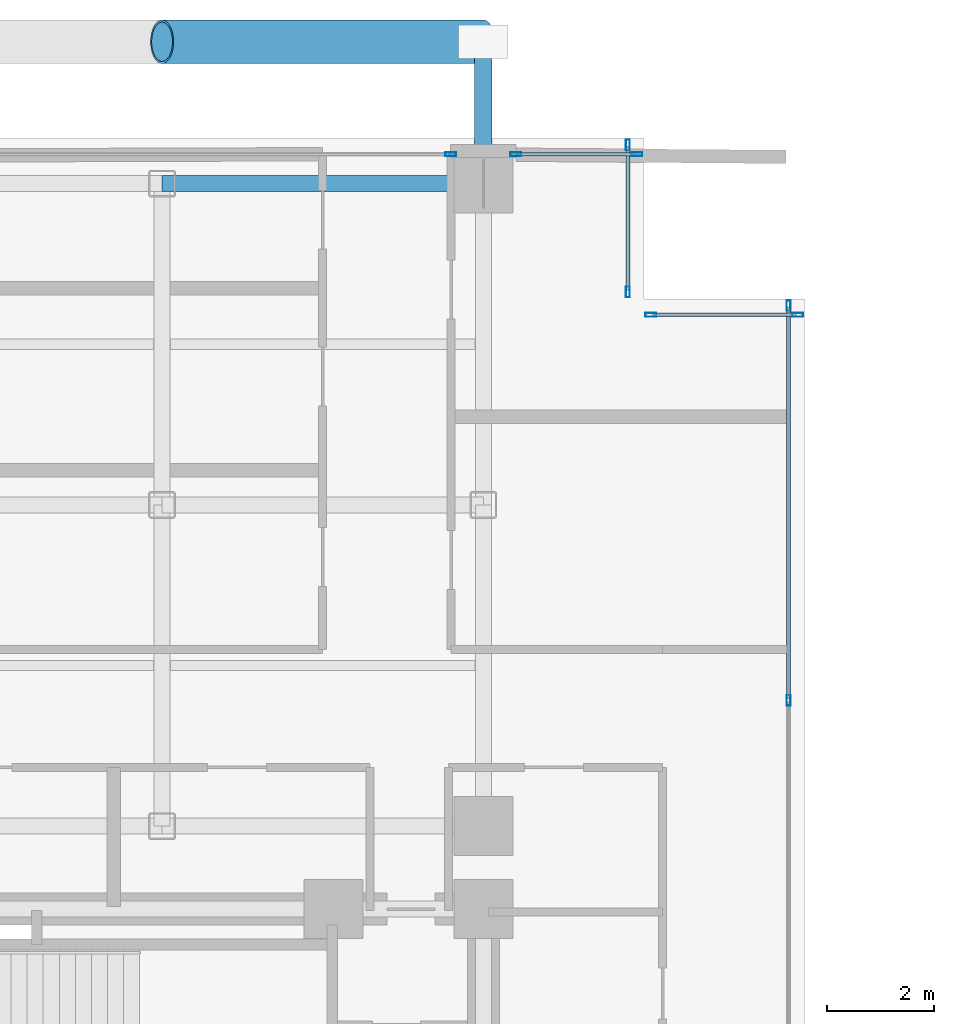
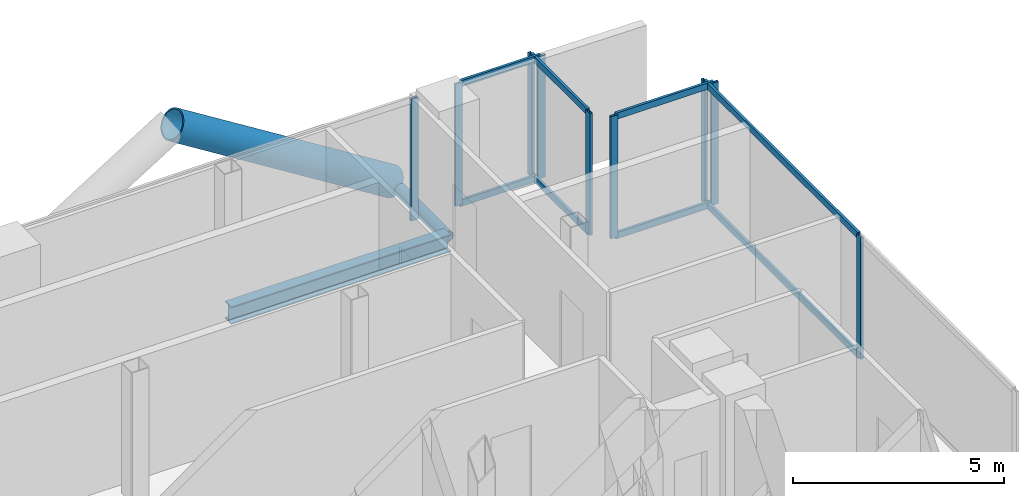
# One storey, part 16 of 24: 19 members, 1 beam, 5 elements without a shape of their own.
"""IFC4 building model written with IfcOpenShell, lengths in metres."""

import ifcopenshell
import ifcopenshell.guid

model = None  # the IFC model being written
_history = None  # IfcOwnerHistory: only IFC2X3 demands one
_inside = {}  # id of a spatial element -> (the spatial element, [elements in it])
_under = {}  # id of a project, library or spatial element -> (it, [spatial elements below it])
_declared = {}  # id of a project -> (the project, [libraries it declares])
_typed = {}  # id of a type object -> (the type object, [elements of that type])
_made_of = {}  # id of a material, layer set ... -> (it, [elements and type objects made of it])


def new_model(schema):
    """Start an empty IFC model of exactly this schema.

    Asked for "IFC4X3", IfcOpenShell would pick the latest addendum, in which some entities
    have other attributes; the version numbers below select the first issue.
    IFC2X3 requires an IfcOwnerHistory on every rooted entity: one is made here for all.
    """
    global model, _history
    if schema == "IFC4X3":
        model = ifcopenshell.file(schema_version=(4, 3, 0, 0))
    else:
        model = ifcopenshell.file(schema=schema)
    _inside.clear()
    _under.clear()
    _declared.clear()
    _typed.clear()
    _made_of.clear()
    _history = None
    if model.schema == "IFC2X3":
        org = make("IfcOrganization", Name="unknown")
        user = make(
            "IfcPersonAndOrganization",
            ThePerson=make("IfcPerson", FamilyName="unknown"),
            TheOrganization=org,
        )
        app = make(
            "IfcApplication",
            ApplicationDeveloper=org,
            Version="unknown",
            ApplicationFullName="unknown",
            ApplicationIdentifier="unknown",
        )
        _history = make(
            "IfcOwnerHistory",
            OwningUser=user,
            OwningApplication=app,
            ChangeAction="ADDED",
            CreationDate=0,
        )
    return model


def make(cls, **values):
    """One entity of the class cls with the attributes given. An attribute that is None is left unset."""
    return model.create_entity(
        cls, **{name: value for name, value in values.items() if value is not None}
    )


def rooted(cls, **values):
    """An entity with a GlobalId (a new one), such as an element, a storey or a relation."""
    return make(cls, GlobalId=ifcopenshell.guid.new(), OwnerHistory=_history, **values)


def si_unit(unit_type, name, prefix=None):
    """IfcSIUnit, for example si_unit("LENGTHUNIT", "METRE", prefix="MILLI")."""
    return make("IfcSIUnit", UnitType=unit_type, Prefix=prefix, Name=name)


def assignment(units):
    """IfcUnitAssignment: the units of a project."""
    return None if units is None else make("IfcUnitAssignment", Units=units)


def point(xyz):
    """IfcCartesianPoint."""
    return None if xyz is None else make("IfcCartesianPoint", Coordinates=xyz)


def direction(xyz):
    """IfcDirection."""
    return None if xyz is None else make("IfcDirection", DirectionRatios=xyz)


def frame(location, z_axis=None, x_axis=None):
    """IfcAxis2Placement3D, a coordinate frame: its origin and axes. An axis left out is left unset."""
    return make(
        "IfcAxis2Placement3D",
        Location=point(location),
        Axis=direction(z_axis),
        RefDirection=direction(x_axis),
    )


def frame_2d(location, x_axis=None):
    """IfcAxis2Placement2D, a coordinate frame in the plane: its origin and x axis."""
    return make(
        "IfcAxis2Placement2D", Location=point(location), RefDirection=direction(x_axis)
    )


def origin():
    """The frame at (0, 0, 0) with its axes left unset."""
    return frame((0.0, 0.0, 0.0))


def origin_2d():
    """The frame at (0, 0) in the plane with its x axis left unset."""
    return frame_2d((0.0, 0.0))


def place(relative_to, where):
    """IfcLocalPlacement: puts the frame where relative to a parent placement (None: the world)."""
    return make(
        "IfcLocalPlacement", PlacementRelTo=relative_to, RelativePlacement=where
    )


def context(
    kind, dimensions, precision=None, world=None, true_north=None, identifier=None
):
    """IfcGeometricRepresentationContext, for example the 3D "Model" context."""
    return make(
        "IfcGeometricRepresentationContext",
        ContextIdentifier=identifier,
        ContextType=kind,
        CoordinateSpaceDimension=dimensions,
        Precision=precision,
        WorldCoordinateSystem=world,
        TrueNorth=true_north,
    )


def subcontext(parent, identifier, kind, view, scale=None):
    """IfcGeometricRepresentationSubContext, for example "Body" below "Model"."""
    return make(
        "IfcGeometricRepresentationSubContext",
        ContextIdentifier=identifier,
        ContextType=kind,
        ParentContext=parent,
        TargetScale=scale,
        TargetView=view,
    )


def project(units=None, contexts=None):
    """IfcProject with its units and contexts."""
    return rooted(
        "IfcProject",
        Name="project",
        RepresentationContexts=contexts,
        UnitsInContext=assignment(units),
    )


def spatial(cls, under=None, at=None, **own):
    """A site, building, storey or space (cls), placed at a placement, below another one or the project."""
    s = rooted(cls, ObjectPlacement=at, **own)
    if under is not None:
        _under.setdefault(under.id(), (under, []))[1].append(s)
    return s


def profile(cls, at=None, kind="AREA", **sizes):
    """A parametric profile (cls). Its sizes go by their IFC names, for example OverallWidth=200.0."""
    return make(cls, ProfileType=kind, Position=at, **sizes)


def hollow_rectangle(**sizes):
    """IfcRectangleHollowProfileDef."""
    return profile("IfcRectangleHollowProfileDef", **sizes)


def hollow_circle(**sizes):
    """IfcCircleHollowProfileDef."""
    return profile("IfcCircleHollowProfileDef", **sizes)


def i_section(**sizes):
    """IfcIShapeProfileDef."""
    return profile("IfcIShapeProfileDef", **sizes)


def extrude(swept, where, along, depth):
    """IfcExtrudedAreaSolid: the profile swept, set in the frame where, extruded along a direction by depth."""
    return make(
        "IfcExtrudedAreaSolid",
        SweptArea=swept,
        Position=where,
        ExtrudedDirection=direction(along),
        Depth=depth,
    )


def shape(context_of_items, identifier, shape_type, items):
    """IfcShapeRepresentation: the items that make up one representation, for example the "Body"."""
    return make(
        "IfcShapeRepresentation",
        ContextOfItems=context_of_items,
        RepresentationIdentifier=identifier,
        RepresentationType=shape_type,
        Items=items,
    )


def material(Name=None, Category=None):
    """IfcMaterial."""
    return make("IfcMaterial", Name=Name, Category=Category)


def layer(
    of_material, thickness, ventilated=None, Name=None, Category=None, Priority=None
):
    """IfcMaterialLayer: one layer of a wall or slab, of a material (None: an air gap)."""
    return make(
        "IfcMaterialLayer",
        Material=of_material,
        LayerThickness=thickness,
        IsVentilated=ventilated,
        Name=Name,
        Category=Category,
        Priority=Priority,
    )


def layer_set(layers, Name=None):
    """IfcMaterialLayerSet."""
    return make("IfcMaterialLayerSet", MaterialLayers=layers, LayerSetName=Name)


def material_profile(
    of_material, cross_section, Name=None, Category=None, Priority=None
):
    """IfcMaterialProfile: a cross section and its material."""
    return make(
        "IfcMaterialProfile",
        Name=Name,
        Material=of_material,
        Profile=cross_section,
        Priority=Priority,
        Category=Category,
    )


def profile_set(profiles, Name=None, composite=None):
    """IfcMaterialProfileSet."""
    return make(
        "IfcMaterialProfileSet",
        Name=Name,
        MaterialProfiles=profiles,
        CompositeProfile=composite,
    )


def made_of(thing, what):
    """Note that an element or type object is made of a material, layer set ...; save() writes the relation."""
    if what is not None:
        _made_of.setdefault(what.id(), (what, []))[1].append(thing)
    return thing


def type_object(cls, material=None, **own):
    """A type object (cls), such as IfcWallType, which elements share."""
    return made_of(rooted(cls, **own), material)


def element(
    cls,
    number,
    at=None,
    inside=None,
    cuts=None,
    type_object=None,
    material=None,
    context=None,
    identifier="Body",
    shape_type=None,
    held_by="IfcProductDefinitionShape",
    body=None,
    shapes=None,
    **own,
):
    """One element of the class cls, such as IfcWall. Its Tag is "e" and its number.

    at: its placement. inside: the storey or other place that contains it. cuts: it is an
    opening in that element (IfcRelVoidsElement). A single representation is given by context,
    identifier, shape_type and body (its items); several are given by shapes. held_by: the class
    of the entity that holds the representations. save() writes the other relations.
    """
    e = rooted(cls, Tag="e%d" % number, ObjectPlacement=at, **own)
    if body is not None:
        shapes = [shape(context, identifier, shape_type, body)]
    if shapes is not None:
        e.Representation = make(held_by, Representations=shapes)
    if inside is not None:
        _inside.setdefault(inside.id(), (inside, []))[1].append(e)
    if cuts is not None:
        rooted(
            "IfcRelVoidsElement", RelatingBuildingElement=cuts, RelatedOpeningElement=e
        )
    if type_object is not None:
        _typed.setdefault(type_object.id(), (type_object, []))[1].append(e)
    return made_of(e, material)


def aggregate(whole, parts):
    """IfcRelAggregates: a whole, such as a stair, and the parts it consists of."""
    return rooted("IfcRelAggregates", RelatingObject=whole, RelatedObjects=parts)


def save(model, path):
    """Write the relations noted so far, then the file.

    IfcRelAggregates (storeys below a building ...), IfcRelContainedInSpatialStructure (elements
    in a storey), IfcRelDefinesByType, IfcRelAssociatesMaterial and IfcRelDeclares: one each for
    every whole, place, type object, material and project.
    """
    for whole, parts in _under.values():
        aggregate(whole, parts)
    for where, things in _inside.values():
        rooted(
            "IfcRelContainedInSpatialStructure",
            RelatedElements=things,
            RelatingStructure=where,
        )
    for kind, things in _typed.values():
        rooted("IfcRelDefinesByType", RelatedObjects=things, RelatingType=kind)
    for what, things in _made_of.values():
        rooted("IfcRelAssociatesMaterial", RelatedObjects=things, RelatingMaterial=what)
    for by, libraries in _declared.values():
        rooted("IfcRelDeclares", RelatingContext=by, RelatedDefinitions=libraries)
    model.write(path)


model = new_model("IFC4")

# Units and contexts
model_context = context("Model", 3, precision=1e-05, world=origin(), true_north=direction((0.0, 1.0)))
body_context = subcontext(model_context, "Body", "Model", "MODEL_VIEW")
ifc_project = project(units=[si_unit("LENGTHUNIT", "METRE"), si_unit("AREAUNIT", "SQUARE_METRE"), si_unit("VOLUMEUNIT", "CUBIC_METRE"), si_unit("PLANEANGLEUNIT", "RADIAN"), si_unit("MASSUNIT", "GRAM", prefix="KILO"), si_unit("THERMODYNAMICTEMPERATUREUNIT", "KELVIN"), si_unit("POWERUNIT", "WATT")], contexts=[model_context])

# Site, building, storey
site_placement = place(None, origin())
site = spatial("IfcSite", under=ifc_project, at=site_placement, CompositionType="ELEMENT")
building_placement = place(site_placement, origin())
building = spatial("IfcBuilding", under=site, at=building_placement, Name="Svarakhadi Broadcast Tower", CompositionType="ELEMENT")
storey_placement = place(building_placement, frame((0.0, 0.0, 126.89990234375)))
storey = spatial("IfcBuildingStorey", under=building, at=storey_placement, Name="L30", CompositionType="ELEMENT", Elevation=126.89990234375)

# Curtain wall, member
ifc_material_1 = material(Name="Anodised Bronze Aluminium AA 6063-T6", Category="aluminium")
ifc_layer = layer(ifc_material_1, 0.199951171875)
ifc_layer_set = layer_set([ifc_layer], Name="Anodised Bronze Aluminium AA 6063-T6")
curtain_wall_type = type_object("IfcCurtainWallType", Name="CW_Sys_03", PredefinedType="NOTDEFINED", material=ifc_layer_set)
curtain_wall_1_placement = place(storey_placement, origin())
curtain_wall_1 = element("IfcCurtainWall", 1, at=curtain_wall_1_placement, inside=storey, type_object=curtain_wall_type, Name="L30 Unitised Facade Curtain Wall 06 Bay 2", PredefinedType="NOTDEFINED")
ifc_material_profile_1 = material_profile(ifc_material_1, hollow_rectangle(XDim=0.074951171875, YDim=0.199951171875, WallThickness=0.005615234375, at=origin_2d()), Name="ALU MULLION 200x75x6")
ifc_profile_set_1 = profile_set([ifc_material_profile_1], Name="Anodised Bronze Aluminium AA 6063-T6")
member_type_1 = type_object("IfcMemberType", Name="CW_Sys_03_Mul", PredefinedType="MULLION", material=ifc_profile_set_1)
member_1_placement = place(storey_placement, frame((17.392578125, 41.699951171875, 0.0), z_axis=(0.0, 0.0, 1.0), x_axis=(0.0, 1.0, 0.0)))
member_1 = element("IfcMember", 2, at=member_1_placement, type_object=member_type_1, Name="CW-03 mullion 2", PredefinedType="MULLION", context=body_context, shape_type="SweptSolid", body=[
    extrude(hollow_rectangle(XDim=0.074951171875, YDim=0.199951171875, WallThickness=0.005615234375, at=origin_2d()), origin(), (0.0, 0.0, 1.0), 3.525146484375),
])
aggregate(curtain_wall_1, [member_1])

# Curtain wall, members
curtain_wall_2_placement = place(storey_placement, origin())
curtain_wall_2 = element("IfcCurtainWall", 3, at=curtain_wall_2_placement, inside=storey, type_object=curtain_wall_type, Name="L30 Unitised Facade Curtain Wall 06 Bay 3", PredefinedType="NOTDEFINED")
member_2_placement = place(storey_placement, frame((18.607421875, 41.699951171875, 0.0), z_axis=(0.0, 0.0, 1.0), x_axis=(0.0, 1.0, 0.0)))
member_2 = element("IfcMember", 4, at=member_2_placement, type_object=member_type_1, Name="CW-03 mullion 1", PredefinedType="MULLION", context=body_context, shape_type="SweptSolid", body=[
    extrude(hollow_rectangle(XDim=0.074951171875, YDim=0.199951171875, WallThickness=0.005615234375, at=origin_2d()), origin(), (0.0, 0.0, 1.0), 3.525146484375),
])
member_3_placement = place(storey_placement, frame((20.87255859375, 41.699951171875, 0.0), z_axis=(0.0, 0.0, 1.0), x_axis=(0.0, 1.0, 0.0)))
member_3 = element("IfcMember", 5, at=member_3_placement, type_object=member_type_1, Name="CW-03 mullion 2", PredefinedType="MULLION", context=body_context, shape_type="SweptSolid", body=[
    extrude(hollow_rectangle(XDim=0.074951171875, YDim=0.199951171875, WallThickness=0.005615234375, at=origin_2d()), origin(), (0.0, 0.0, 1.0), 3.525146484375),
])

curtain_wall_3_placement = place(storey_placement, origin())
curtain_wall_3 = element("IfcCurtainWall", 6, at=curtain_wall_3_placement, inside=storey, type_object=curtain_wall_type, Name="L30 Unitised Facade Curtain Wall 07", PredefinedType="NOTDEFINED")
member_4_placement = place(storey_placement, frame((20.699951171875, 41.87255859375, 0.0), z_axis=(0.0, 0.0, 1.0), x_axis=(1.0, 0.0, 0.0)))
member_4 = element("IfcMember", 7, at=member_4_placement, type_object=member_type_1, Name="CW-03 mullion 1", PredefinedType="MULLION", context=body_context, shape_type="SweptSolid", body=[
    extrude(hollow_rectangle(XDim=0.074951171875, YDim=0.199951171875, WallThickness=0.005615234375, at=origin_2d()), origin(), (0.0, 0.0, 1.0), 3.525146484375),
])
member_5_placement = place(storey_placement, frame((20.699951171875, 39.12744140625, 0.0), z_axis=(0.0, 0.0, 1.0), x_axis=(1.0, 0.0, 0.0)))
member_5 = element("IfcMember", 8, at=member_5_placement, type_object=member_type_1, Name="CW-03 mullion 2", PredefinedType="MULLION", context=body_context, shape_type="SweptSolid", body=[
    extrude(hollow_rectangle(XDim=0.074951171875, YDim=0.199951171875, WallThickness=0.005615234375, at=origin_2d()), origin(), (0.0, 0.0, 1.0), 3.525146484375),
])

curtain_wall_4_placement = place(storey_placement, origin())
curtain_wall_4 = element("IfcCurtainWall", 9, at=curtain_wall_4_placement, inside=storey, type_object=curtain_wall_type, Name="L30 Unitised Facade Curtain Wall 08", PredefinedType="NOTDEFINED")
member_6_placement = place(storey_placement, frame((21.12744140625, 38.699951171875, 0.0), z_axis=(0.0, 0.0, 1.0), x_axis=(0.0, 1.0, 0.0)))
member_6 = element("IfcMember", 10, at=member_6_placement, type_object=member_type_1, Name="CW-03 mullion 1", PredefinedType="MULLION", context=body_context, shape_type="SweptSolid", body=[
    extrude(hollow_rectangle(XDim=0.074951171875, YDim=0.199951171875, WallThickness=0.005615234375, at=origin_2d()), origin(), (0.0, 0.0, 1.0), 3.525146484375),
])
member_7_placement = place(storey_placement, frame((23.87255859375, 38.699951171875, 0.0), z_axis=(0.0, 0.0, 1.0), x_axis=(0.0, 1.0, 0.0)))
member_7 = element("IfcMember", 11, at=member_7_placement, type_object=member_type_1, Name="CW-03 mullion 2", PredefinedType="MULLION", context=body_context, shape_type="SweptSolid", body=[
    extrude(hollow_rectangle(XDim=0.074951171875, YDim=0.199951171875, WallThickness=0.005615234375, at=origin_2d()), origin(), (0.0, 0.0, 1.0), 3.525146484375),
])

curtain_wall_5_placement = place(storey_placement, origin())
curtain_wall_5 = element("IfcCurtainWall", 12, at=curtain_wall_5_placement, inside=storey, type_object=curtain_wall_type, Name="L30 Unitised Facade Curtain Wall 09", PredefinedType="NOTDEFINED")
member_8_placement = place(storey_placement, frame((23.699951171875, 38.87255859375, 0.0), z_axis=(0.0, 0.0, 1.0), x_axis=(1.0, 0.0, 0.0)))
member_8 = element("IfcMember", 13, at=member_8_placement, type_object=member_type_1, Name="CW-03 mullion 1", PredefinedType="MULLION", context=body_context, shape_type="SweptSolid", body=[
    extrude(hollow_rectangle(XDim=0.074951171875, YDim=0.199951171875, WallThickness=0.005615234375, at=origin_2d()), origin(), (0.0, 0.0, 1.0), 3.525146484375),
])
member_9_placement = place(storey_placement, frame((23.699951171875, 31.5, 0.0), z_axis=(0.0, 0.0, 1.0), x_axis=(1.0, 0.0, 0.0)))
member_9 = element("IfcMember", 14, at=member_9_placement, type_object=member_type_1, Name="CW-03 mullion 2", PredefinedType="MULLION", context=body_context, shape_type="SweptSolid", body=[
    extrude(hollow_rectangle(XDim=0.074951171875, YDim=0.199951171875, WallThickness=0.005615234375, at=origin_2d()), origin(), (0.0, 0.0, 1.0), 3.525146484375),
])

# Member
ifc_material_profile_2 = material_profile(ifc_material_1, hollow_rectangle(XDim=0.070068359375, YDim=0.18505859375, WallThickness=0.0048828125, at=origin_2d()), Name="ALU TRANSOM 185x70x5")
ifc_profile_set_2 = profile_set([ifc_material_profile_2], Name="Anodised Bronze Aluminium AA 6063-T6")
member_type_2 = type_object("IfcMemberType", Name="CW_Sys_03_Trn", PredefinedType="USERDEFINED", material=ifc_profile_set_2)
member_10_placement = place(storey_placement, frame((18.64501953125, 41.699951171875, 0.03515625), z_axis=(1.0, 0.0, 0.0), x_axis=(0.0, 1.0, 0.0)))
member_10 = element("IfcMember", 15, at=member_10_placement, type_object=member_type_2, Name="CW-03 transom 1.1", ObjectType="TRANSOM", PredefinedType="USERDEFINED", context=body_context, shape_type="SweptSolid", body=[
    extrude(hollow_rectangle(XDim=0.070068359375, YDim=0.18505859375, WallThickness=0.0048828125, at=origin_2d()), origin(), (0.0, 0.0, 1.0), 2.18994140625),
])

member_11_placement = place(storey_placement, frame((18.64501953125, 41.699951171875, 3.489990234375), z_axis=(1.0, 0.0, 0.0), x_axis=(0.0, 1.0, 0.0)))
member_11 = element("IfcMember", 16, at=member_11_placement, type_object=member_type_2, Name="CW-03 transom 1.2", ObjectType="TRANSOM", PredefinedType="USERDEFINED", context=body_context, shape_type="SweptSolid", body=[
    extrude(hollow_rectangle(XDim=0.070068359375, YDim=0.18505859375, WallThickness=0.0048828125, at=origin_2d()), origin(), (0.0, 0.0, 1.0), 2.18994140625),
])

aggregate(curtain_wall_2, [member_2, member_3, member_10, member_11])

member_12_placement = place(storey_placement, frame((20.699951171875, 41.8349609375, 0.03515625), z_axis=(0.0, -1.0, 0.0), x_axis=(1.0, 0.0, 0.0)))
member_12 = element("IfcMember", 17, at=member_12_placement, type_object=member_type_2, Name="CW-03 transom 1.1", ObjectType="TRANSOM", PredefinedType="USERDEFINED", context=body_context, shape_type="SweptSolid", body=[
    extrude(hollow_rectangle(XDim=0.070068359375, YDim=0.18505859375, WallThickness=0.0048828125, at=origin_2d()), origin(), (0.0, 0.0, 1.0), 2.669921875),
])

member_13_placement = place(storey_placement, frame((20.699951171875, 41.8349609375, 3.489990234375), z_axis=(0.0, -1.0, 0.0), x_axis=(1.0, 0.0, 0.0)))
member_13 = element("IfcMember", 18, at=member_13_placement, type_object=member_type_2, Name="CW-03 transom 1.2", ObjectType="TRANSOM", PredefinedType="USERDEFINED", context=body_context, shape_type="SweptSolid", body=[
    extrude(hollow_rectangle(XDim=0.070068359375, YDim=0.18505859375, WallThickness=0.0048828125, at=origin_2d()), origin(), (0.0, 0.0, 1.0), 2.669921875),
])

aggregate(curtain_wall_3, [member_4, member_5, member_12, member_13])

member_14_placement = place(storey_placement, frame((21.1650390625, 38.699951171875, 0.03515625), z_axis=(1.0, 0.0, 0.0), x_axis=(0.0, 1.0, 0.0)))
member_14 = element("IfcMember", 19, at=member_14_placement, type_object=member_type_2, Name="CW-03 transom 1.1", ObjectType="TRANSOM", PredefinedType="USERDEFINED", context=body_context, shape_type="SweptSolid", body=[
    extrude(hollow_rectangle(XDim=0.070068359375, YDim=0.18505859375, WallThickness=0.0048828125, at=origin_2d()), origin(), (0.0, 0.0, 1.0), 2.669921875),
])

member_15_placement = place(storey_placement, frame((21.1650390625, 38.699951171875, 3.489990234375), z_axis=(1.0, 0.0, 0.0), x_axis=(0.0, 1.0, 0.0)))
member_15 = element("IfcMember", 20, at=member_15_placement, type_object=member_type_2, Name="CW-03 transom 1.2", ObjectType="TRANSOM", PredefinedType="USERDEFINED", context=body_context, shape_type="SweptSolid", body=[
    extrude(hollow_rectangle(XDim=0.070068359375, YDim=0.18505859375, WallThickness=0.0048828125, at=origin_2d()), origin(), (0.0, 0.0, 1.0), 2.669921875),
])

aggregate(curtain_wall_4, [member_6, member_7, member_14, member_15])

member_16_placement = place(storey_placement, frame((23.699951171875, 38.8349609375, 0.03515625), z_axis=(0.0, -1.0, 0.0), x_axis=(1.0, 0.0, 0.0)))
member_16 = element("IfcMember", 21, at=member_16_placement, type_object=member_type_2, Name="CW-03 transom 1.1", ObjectType="TRANSOM", PredefinedType="USERDEFINED", context=body_context, shape_type="SweptSolid", body=[
    extrude(hollow_rectangle(XDim=0.070068359375, YDim=0.18505859375, WallThickness=0.0048828125, at=origin_2d()), origin(), (0.0, 0.0, 1.0), 7.29736328125),
])

member_17_placement = place(storey_placement, frame((23.699951171875, 38.8349609375, 3.489990234375), z_axis=(0.0, -1.0, 0.0), x_axis=(1.0, 0.0, 0.0)))
member_17 = element("IfcMember", 22, at=member_17_placement, type_object=member_type_2, Name="CW-03 transom 1.2", ObjectType="TRANSOM", PredefinedType="USERDEFINED", context=body_context, shape_type="SweptSolid", body=[
    extrude(hollow_rectangle(XDim=0.070068359375, YDim=0.18505859375, WallThickness=0.0048828125, at=origin_2d()), origin(), (0.0, 0.0, 1.0), 7.29736328125),
])

aggregate(curtain_wall_5, [member_8, member_9, member_16, member_17])

# Members
ifc_material_2 = material(Name="Steel S460ML (IS 2062 E450BR)", Category="steel")
ifc_material_profile_3 = material_profile(ifc_material_2, hollow_circle(Radius=0.406494140625, WallThickness=0.0400390625, at=origin_2d()), Name="CHS 813x40")
ifc_profile_set_3 = profile_set([ifc_material_profile_3], Name="Steel S460ML (IS 2062 E450BR)")
member_type_3 = type_object("IfcMemberType", Name="Exo_Brace_CHS813", PredefinedType="BRACE", material=ifc_profile_set_3)
member_18_placement = place(storey_placement, frame((18.0, 43.800048828125, -0.386962890625), z_axis=(-0.847998304005, 0.0, 0.529998940003), x_axis=(0.0, -1.0, 0.0)))
element("IfcMember", 23, at=member_18_placement, inside=storey, type_object=member_type_3, Name="L30 Exposed Bronze Exoskeleton Diagonal N09", PredefinedType="BRACE", context=body_context, shape_type="SweptSolid", body=[
    extrude(hollow_circle(Radius=0.406494140625, WallThickness=0.0400390625, at=origin_2d()), origin(), (0.0, 0.0, 1.0), 7.075439453125),
])
ifc_material_profile_4 = material_profile(ifc_material_2, hollow_circle(Radius=0.161865234375, WallThickness=0.01611328125, at=origin_2d()), Name="CHS 323.9x16")
ifc_profile_set_4 = profile_set([ifc_material_profile_4], Name="Steel S460ML (IS 2062 E450BR)")
member_type_4 = type_object("IfcMemberType", Name="Exo_Radial_Strut_Z2", PredefinedType="STRUT", material=ifc_profile_set_4)
member_19_placement = place(storey_placement, frame((18.0, 43.800048828125, -0.386962890625), z_axis=(0.0, -1.0, 0.0), x_axis=(1.0, 0.0, 0.0)))
element("IfcMember", 24, at=member_19_placement, inside=storey, type_object=member_type_4, Name="L30 Exoskeleton Radial Tie Strut N11", PredefinedType="STRUT", context=body_context, shape_type="SweptSolid", body=[
    extrude(hollow_circle(Radius=0.161865234375, WallThickness=0.01611328125, at=origin_2d()), origin(), (0.0, 0.0, 1.0), 2.650146484375),
])

# Beam
ifc_material_3 = material(Name="Steel S355J2 (IS 2062 E350C)", Category="steel")
ifc_material_profile_5 = material_profile(ifc_material_3, i_section(OverallWidth=0.300048828125, OverallDepth=0.5, WebThickness=0.014404296875, FlangeThickness=0.028076171875, FilletRadius=0.027099609375, at=origin_2d()), Name="WPB 500x300x187")
ifc_profile_set_5 = profile_set([ifc_material_profile_5], Name="Steel S355J2 (IS 2062 E350C)")
beam_type = type_object("IfcBeamType", Name="Girder_WPB500", PredefinedType="USERDEFINED", material=ifc_profile_set_5)
beam_placement = place(storey_placement, frame((12.0, 41.14990234375, -0.474853515625), z_axis=(1.0, 0.0, 0.0), x_axis=(0.0, 1.0, 0.0)))
element("IfcBeam", 25, at=beam_placement, inside=storey, type_object=beam_type, Name="L30 Primary E-W Girder G039", ObjectType="GIRDER", PredefinedType="USERDEFINED", context=body_context, shape_type="SweptSolid", body=[
    extrude(i_section(OverallWidth=0.300048828125, OverallDepth=0.5, WebThickness=0.014404296875, FlangeThickness=0.028076171875, FilletRadius=0.027099609375, at=origin_2d()), origin(), (0.0, 0.0, 1.0), 6.0),
])

save(model, "model.ifc")
